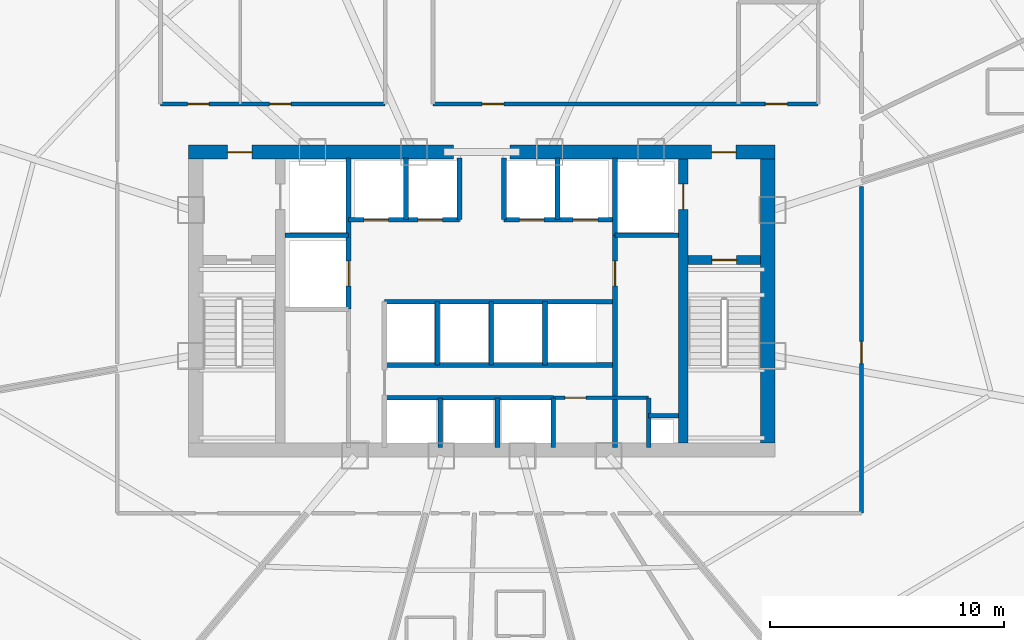
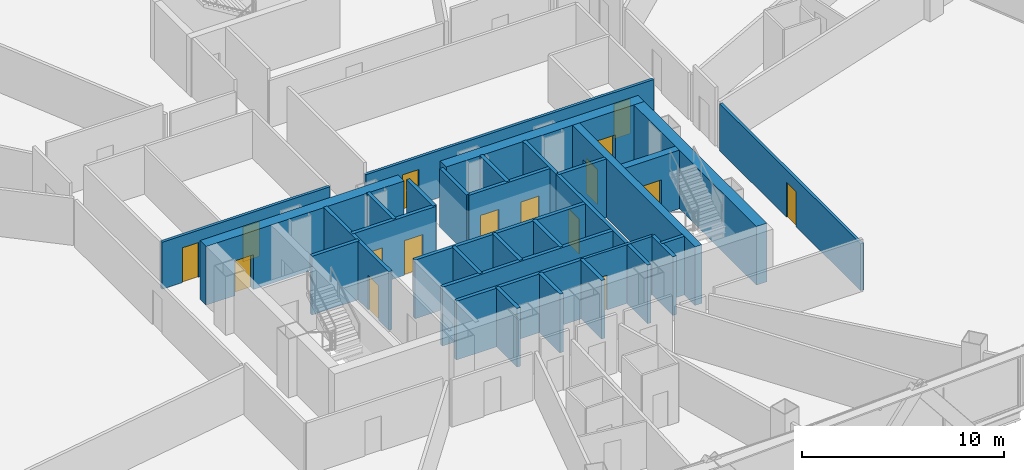
# One storey, part 30 of 37: 31 walls, 16 doors, 16 openings.
"""IFC4 building model written with IfcOpenShell, lengths in metres."""

from ifc_helpers import new_model, si_unit, direction, frame, frame_2d, origin, origin_with_axes, place, context, subcontext, project, spatial, rectangle, extrude, source, transform, mapped, material, layer, layer_set, type_object, element, fill, save


model = new_model("IFC4")

# Units and contexts
model_context = context("Model", 3, precision=1e-05, world=origin(), true_north=direction((0.0, 1.0)))
body_context = subcontext(model_context, "Body", "Model", "MODEL_VIEW")
ifc_project = project(units=[si_unit("LENGTHUNIT", "METRE"), si_unit("AREAUNIT", "SQUARE_METRE"), si_unit("VOLUMEUNIT", "CUBIC_METRE"), si_unit("PLANEANGLEUNIT", "RADIAN"), si_unit("MASSUNIT", "GRAM", prefix="KILO"), si_unit("THERMODYNAMICTEMPERATUREUNIT", "KELVIN"), si_unit("POWERUNIT", "WATT")], contexts=[model_context])

# Site, building, storey
site_placement = place(None, origin())
site = spatial("IfcSite", under=ifc_project, at=site_placement, CompositionType="ELEMENT")
building_placement = place(site_placement, origin())
building = spatial("IfcBuilding", under=site, at=building_placement, Name="Yunzhuo Pagoda Commons", CompositionType="ELEMENT")
storey_placement = place(building_placement, frame((0.0, 0.0, 84.97998046875)))
storey = spatial("IfcBuildingStorey", under=building, at=storey_placement, Name="L21", CompositionType="ELEMENT", Elevation=84.97998046875)

# Wall, opening, door
ifc_material_1 = material(Name="Concrete C60", Category="concrete")
ifc_layer_1 = layer(ifc_material_1, 0.60009765625)
ifc_layer_set_1 = layer_set([ifc_layer_1], Name="Concrete C60")
wall_type_1 = type_object("IfcWallType", Name="W-C02 Mid Core Shear Wall 600", PredefinedType="SHEAR", material=ifc_layer_set_1)
wall_1_placement = place(storey_placement, frame((35.5, 40.199951171875, 0.0), z_axis=(0.0, 0.0, 1.0), x_axis=(1.0, 0.0, 0.0)))
wall_1 = element("IfcWall", 1, at=wall_1_placement, inside=storey, type_object=wall_type_1, Name="L21 core shear wall NW", PredefinedType="SHEAR", context=body_context, shape_type="SweptSolid", body=[
    extrude(rectangle(XDim=11.300048828125, YDim=0.60009765625, at=frame_2d((5.64990234375, 0.0))), origin(), (0.0, 0.0, 1.0), 3.5400390625),
])
opening_1_placement = place(wall_1_placement, frame((1.64990234375, 0.0, 0.0)))
opening_1 = element("IfcOpeningElement", 2, at=opening_1_placement, cuts=wall_1, Name="Opening D-02", PredefinedType="OPENING", context=body_context, shape_type="SweptSolid", body=[
    extrude(rectangle(XDim=1.050048828125, YDim=2.10009765625, at=frame_2d((0.52490234375, 1.050048828125))), frame((0.0, 0.31005859375, 0.0), z_axis=(0.0, -1.0, 0.0), x_axis=(1.0, 0.0, 0.0)), (0.0, 0.0, 1.0), 0.6201171875),
])
ifc_material_2 = material(Name="Galvanized fire-resisting metal leaf")
door_type_1 = type_object("IfcDoorType", Name="D-02 Firefighting Lobby & Refuge Fire Door 1050x2100", OperationType="NOTDEFINED", PredefinedType="DOOR", material=ifc_material_2)
shared_shape_1 = source(origin(), body_context, "Body", "SweptSolid", [
    extrude(rectangle(XDim=1.050048828125, YDim=2.10009765625, at=frame_2d((0.52490234375, 1.050048828125))), frame((0.0, 0.02490234375, 0.0), z_axis=(0.0, -1.0, 0.0), x_axis=(1.0, 0.0, 0.0)), (0.0, 0.0, 1.0), 0.050048828125),
])
door_1_placement = place(opening_1_placement, frame((1.050048828125, 0.0, 0.0), z_axis=(0.0, 0.0, 1.0), x_axis=(-1.0, 0.0, 0.0)))
door_1 = element("IfcDoor", 3, at=door_1_placement, inside=storey, type_object=door_type_1, Name="L21 Firefighting Lobby 1 fire door", OperationType="SINGLE_SWING_LEFT", OverallHeight=2.10009765625, OverallWidth=1.050048828125, PredefinedType="DOOR", context=body_context, shape_type="MappedRepresentation", body=[
    mapped(shared_shape_1, transform((0.0, 0.0, 0.0), scale=1.0)),
])
fill(opening_1, door_1)

wall_2_placement = place(storey_placement, frame((49.199951171875, 40.199951171875, 0.0), z_axis=(0.0, 0.0, 1.0), x_axis=(1.0, 0.0, 0.0)))
wall_2 = element("IfcWall", 4, at=wall_2_placement, inside=storey, type_object=wall_type_1, Name="L21 core shear wall NE", PredefinedType="SHEAR", context=body_context, shape_type="SweptSolid", body=[
    extrude(rectangle(XDim=11.300048828125, YDim=0.60009765625, at=frame_2d((5.64990234375, 0.0))), origin(), (0.0, 0.0, 1.0), 3.5400390625),
])
opening_2_placement = place(wall_2_placement, frame((8.60009765625, 0.0, 0.0)))
opening_2 = element("IfcOpeningElement", 5, at=opening_2_placement, cuts=wall_2, Name="Opening D-02", PredefinedType="OPENING", context=body_context, shape_type="SweptSolid", body=[
    extrude(rectangle(XDim=1.050048828125, YDim=2.10009765625, at=frame_2d((0.52490234375, 1.050048828125))), frame((0.0, 0.31005859375, 0.0), z_axis=(0.0, -1.0, 0.0), x_axis=(1.0, 0.0, 0.0)), (0.0, 0.0, 1.0), 0.6201171875),
])
door_2_placement = place(opening_2_placement, frame((1.050048828125, 0.0, 0.0), z_axis=(0.0, 0.0, 1.0), x_axis=(-1.0, 0.0, 0.0)))
door_2 = element("IfcDoor", 6, at=door_2_placement, inside=storey, type_object=door_type_1, Name="L21 Firefighting Lobby 2 fire door", OperationType="SINGLE_SWING_RIGHT", OverallHeight=2.10009765625, OverallWidth=1.050048828125, PredefinedType="DOOR", context=body_context, shape_type="MappedRepresentation", body=[
    mapped(shared_shape_1, transform((0.0, 0.0, 0.0), scale=1.0)),
])
fill(opening_2, door_2)

# Wall
wall_3_placement = place(storey_placement, frame((60.199951171875, 27.800048828125, 0.0), z_axis=(0.0, 0.0, 1.0), x_axis=(0.0, 1.0, 0.0)))
element("IfcWall", 7, at=wall_3_placement, inside=storey, type_object=wall_type_1, Name="L21 core shear wall E", PredefinedType="SHEAR", context=body_context, shape_type="SweptSolid", body=[
    extrude(rectangle(XDim=12.099853515625, YDim=0.60009765625, at=frame_2d((6.0498046875, 0.0))), origin(), (0.0, 0.0, 1.0), 3.5400390625),
])

# Wall, opening, door
ifc_material_3 = material(Name="Gypsum plasterboard on acoustic stud")
ifc_layer_2 = layer(ifc_material_3, 0.159912109375)
ifc_layer_set_2 = layer_set([ifc_layer_2], Name="Gypsum plasterboard on acoustic stud")
wall_type_2 = type_object("IfcWallType", Name="W-COR1 Tower Rated Corridor Wall 160", PredefinedType="PARTITIONING", material=ifc_layer_set_2)
wall_4_placement = place(storey_placement, frame((51.050048828125, 29.719970703125, 0.0), z_axis=(0.0, 0.0, 1.0), x_axis=(1.0, 0.0, 0.0)))
wall_4 = element("IfcWall", 8, at=wall_4_placement, inside=storey, type_object=wall_type_2, Name="L21 interior wall IW-L21-CSES", PredefinedType="PARTITIONING", context=body_context, shape_type="SweptSolid", body=[
    extrude(rectangle(XDim=4.070068359375, YDim=0.159912109375, at=frame_2d((2.03515625, 0.0))), origin(), (0.0, 0.0, 1.0), 3.5400390625),
])
opening_3_placement = place(wall_4_placement, frame((0.5, 0.0, 0.0)))
opening_3 = element("IfcOpeningElement", 9, at=opening_3_placement, cuts=wall_4, Name="Opening D-03", PredefinedType="OPENING", context=body_context, shape_type="SweptSolid", body=[
    extrude(rectangle(XDim=0.89990234375, YDim=2.10009765625, at=frame_2d((0.449951171875, 1.050048828125))), frame((0.0, 0.08984375, 0.0), z_axis=(0.0, -1.0, 0.0), x_axis=(1.0, 0.0, 0.0)), (0.0, 0.0, 1.0), 0.179931640625),
])
door_type_2 = type_object("IfcDoorType", Name="D-03 Core Service Fire Door 900x2100", OperationType="NOTDEFINED", PredefinedType="DOOR", material=ifc_material_2)
shared_shape_2 = source(origin(), body_context, "Body", "SweptSolid", [
    extrude(rectangle(XDim=0.89990234375, YDim=2.10009765625, at=frame_2d((0.449951171875, 1.050048828125))), frame((0.0, 0.02490234375, 0.0), z_axis=(0.0, -1.0, 0.0), x_axis=(1.0, 0.0, 0.0)), (0.0, 0.0, 1.0), 0.050048828125),
])
door_3_placement = place(opening_3_placement, origin_with_axes())
door_3 = element("IfcDoor", 10, at=door_3_placement, inside=storey, type_object=door_type_2, Name="L21 cleaner store door", OperationType="SINGLE_SWING_LEFT", OverallHeight=2.10009765625, OverallWidth=0.89990234375, PredefinedType="DOOR", context=body_context, shape_type="MappedRepresentation", body=[
    mapped(shared_shape_2, transform((0.0, 0.0, 0.0), scale=1.0)),
])
fill(opening_3, door_3)

# Wall, openings, doors
wall_5_placement = place(storey_placement, frame((34.300048828125, 42.25, 0.0), z_axis=(0.0, 0.0, 1.0), x_axis=(1.0, 0.0, 0.0)))
wall_5 = element("IfcWall", 11, at=wall_5_placement, inside=storey, type_object=wall_type_2, Name="L21 interior wall IW-L21-ISLWS", PredefinedType="PARTITIONING", context=body_context, shape_type="SweptSolid", body=[
    extrude(rectangle(XDim=9.579833984375, YDim=0.159912109375, at=frame_2d((4.7900390625, 0.0))), origin(), (0.0, 0.0, 1.0), 2.840087890625),
])
opening_4_placement = place(wall_5_placement, frame((1.14990234375, 0.0, 0.0)))
opening_4 = element("IfcOpeningElement", 12, at=opening_4_placement, cuts=wall_5, Name="Opening D-04", PredefinedType="OPENING", context=body_context, shape_type="SweptSolid", body=[
    extrude(rectangle(XDim=0.919921875, YDim=2.10009765625, at=frame_2d((0.4599609375, 1.050048828125))), frame((0.0, 0.08984375, 0.0), z_axis=(0.0, -1.0, 0.0), x_axis=(1.0, 0.0, 0.0)), (0.0, 0.0, 1.0), 0.179931640625),
])
opening_5_placement = place(wall_5_placement, frame((4.64990234375, 0.0, 0.0)))
opening_5 = element("IfcOpeningElement", 13, at=opening_5_placement, cuts=wall_5, Name="Opening D-04", PredefinedType="OPENING", context=body_context, shape_type="SweptSolid", body=[
    extrude(rectangle(XDim=0.919921875, YDim=2.10009765625, at=frame_2d((0.4599609375, 1.050048828125))), frame((0.0, 0.08984375, 0.0), z_axis=(0.0, -1.0, 0.0), x_axis=(1.0, 0.0, 0.0)), (0.0, 0.0, 1.0), 0.179931640625),
])
ifc_material_4 = material(Name="Powder-coated aluminium and timber acoustic leaf", Category="wood")
door_type_3 = type_object("IfcDoorType", Name="D-04 Bedroom & Study Interior Door 920x2100", OperationType="NOTDEFINED", PredefinedType="DOOR", material=ifc_material_4)
shared_shape_3 = source(origin(), body_context, "Body", "SweptSolid", [
    extrude(rectangle(XDim=0.919921875, YDim=2.10009765625, at=frame_2d((0.4599609375, 1.050048828125))), frame((0.0, 0.02490234375, 0.0), z_axis=(0.0, -1.0, 0.0), x_axis=(1.0, 0.0, 0.0)), (0.0, 0.0, 1.0), 0.050048828125),
])
door_4_placement = place(opening_4_placement, frame((0.919921875, 0.0, 0.0), z_axis=(0.0, 0.0, 1.0), x_axis=(-1.0, 0.0, 0.0)))
door_4 = element("IfcDoor", 14, at=door_4_placement, inside=storey, type_object=door_type_3, Name="L21 laundry door", OperationType="SINGLE_SWING_LEFT", OverallHeight=2.10009765625, OverallWidth=0.919921875, PredefinedType="DOOR", context=body_context, shape_type="MappedRepresentation", body=[
    mapped(shared_shape_3, transform((0.0, 0.0, 0.0), scale=1.0)),
])
fill(opening_4, door_4)
door_5_placement = place(opening_5_placement, frame((0.919921875, 0.0, 0.0), z_axis=(0.0, 0.0, 1.0), x_axis=(-1.0, 0.0, 0.0)))
door_5 = element("IfcDoor", 15, at=door_5_placement, inside=storey, type_object=door_type_3, Name="L21 study commons W door", OperationType="SINGLE_SWING_RIGHT", OverallHeight=2.10009765625, OverallWidth=0.919921875, PredefinedType="DOOR", context=body_context, shape_type="MappedRepresentation", body=[
    mapped(shared_shape_3, transform((0.0, 0.0, 0.0), scale=1.0)),
])
fill(opening_5, door_5)

wall_6_placement = place(storey_placement, frame((45.919921875, 42.25, 0.0), z_axis=(0.0, 0.0, 1.0), x_axis=(1.0, 0.0, 0.0)))
wall_6 = element("IfcWall", 16, at=wall_6_placement, inside=storey, type_object=wall_type_2, Name="L21 interior wall IW-L21-ISLES", PredefinedType="PARTITIONING", context=body_context, shape_type="SweptSolid", body=[
    extrude(rectangle(XDim=16.43017578125, YDim=0.159912109375, at=frame_2d((8.215087890625, 0.0))), origin(), (0.0, 0.0, 1.0), 2.840087890625),
])
opening_6_placement = place(wall_6_placement, frame((2.10009765625, 0.0, 0.0)))
opening_6 = element("IfcOpeningElement", 17, at=opening_6_placement, cuts=wall_6, Name="Opening D-04", PredefinedType="OPENING", context=body_context, shape_type="SweptSolid", body=[
    extrude(rectangle(XDim=0.919921875, YDim=2.10009765625, at=frame_2d((0.4599609375, 1.050048828125))), frame((0.0, 0.08984375, 0.0), z_axis=(0.0, -1.0, 0.0), x_axis=(1.0, 0.0, 0.0)), (0.0, 0.0, 1.0), 0.179931640625),
])
opening_7_placement = place(wall_6_placement, frame((14.179931640625, 0.0, 0.0)))
opening_7 = element("IfcOpeningElement", 18, at=opening_7_placement, cuts=wall_6, Name="Opening D-11", PredefinedType="OPENING", context=body_context, shape_type="SweptSolid", body=[
    extrude(rectangle(XDim=0.93994140625, YDim=2.10009765625, at=frame_2d((0.469970703125, 1.050048828125))), frame((0.0, 0.08984375, 0.0), z_axis=(0.0, -1.0, 0.0), x_axis=(1.0, 0.0, 0.0)), (0.0, 0.0, 1.0), 0.179931640625),
])
door_type_4 = type_object("IfcDoorType", Name="D-11 Accessible Washroom Fire Door 940x2100", OperationType="NOTDEFINED", PredefinedType="DOOR", material=ifc_material_2)
shared_shape_4 = source(origin(), body_context, "Body", "SweptSolid", [
    extrude(rectangle(XDim=0.93994140625, YDim=2.10009765625, at=frame_2d((0.469970703125, 1.050048828125))), frame((0.0, 0.02490234375, 0.0), z_axis=(0.0, -1.0, 0.0), x_axis=(1.0, 0.0, 0.0)), (0.0, 0.0, 1.0), 0.050048828125),
])
door_6_placement = place(opening_7_placement, frame((0.93994140625, 0.0, 0.0), z_axis=(0.0, 0.0, 1.0), x_axis=(-1.0, 0.0, 0.0)))
door_6 = element("IfcDoor", 19, at=door_6_placement, inside=storey, type_object=door_type_4, Name="L21 accessible WC door", OperationType="SINGLE_SWING_RIGHT", OverallHeight=2.10009765625, OverallWidth=0.93994140625, PredefinedType="DOOR", context=body_context, shape_type="MappedRepresentation", body=[
    mapped(shared_shape_4, transform((0.0, 0.0, 0.0), scale=1.0)),
])
fill(opening_7, door_6)
door_7_placement = place(opening_6_placement, frame((0.919921875, 0.0, 0.0), z_axis=(0.0, 0.0, 1.0), x_axis=(-1.0, 0.0, 0.0)))
door_7 = element("IfcDoor", 20, at=door_7_placement, inside=storey, type_object=door_type_3, Name="L21 reading commons door", OperationType="SINGLE_SWING_LEFT", OverallHeight=2.10009765625, OverallWidth=0.919921875, PredefinedType="DOOR", context=body_context, shape_type="MappedRepresentation", body=[
    mapped(shared_shape_3, transform((0.0, 0.0, 0.0), scale=1.0)),
])
fill(opening_6, door_7)

# Wall, opening, door
wall_7_placement = place(storey_placement, frame((64.199951171875, 38.743896484375, 0.0), z_axis=(0.0, 0.0, 1.0), x_axis=(0.0, -1.0, 0.0)))
wall_7 = element("IfcWall", 21, at=wall_7_placement, inside=storey, type_object=wall_type_2, Name="L21 interior wall IW-L21-CWL14", PredefinedType="PARTITIONING", context=body_context, shape_type="SweptSolid", body=[
    extrude(rectangle(XDim=13.94384765625, YDim=0.159912109375, at=frame_2d((6.971923828125, 0.0))), origin(), (0.0, 0.0, 1.0), 2.840087890625),
])
opening_8_placement = place(wall_7_placement, frame((6.616943359375, 0.0, 0.0)))
opening_8 = element("IfcOpeningElement", 22, at=opening_8_placement, cuts=wall_7, Name="Opening D-06", PredefinedType="OPENING", context=body_context, shape_type="SweptSolid", body=[
    extrude(rectangle(XDim=0.949951171875, YDim=2.10009765625, at=frame_2d((0.47509765625, 1.050048828125))), frame((0.0, 0.08984375, 0.0), z_axis=(0.0, -1.0, 0.0), x_axis=(1.0, 0.0, 0.0)), (0.0, 0.0, 1.0), 0.179931640625),
])
door_type_5 = type_object("IfcDoorType", Name="D-06 Co-Living Suite Entrance Fire Door 950x2100", OperationType="NOTDEFINED", PredefinedType="DOOR", material=ifc_material_2)
shared_shape_5 = source(origin(), body_context, "Body", "SweptSolid", [
    extrude(rectangle(XDim=0.949951171875, YDim=2.10009765625, at=frame_2d((0.47509765625, 1.050048828125))), frame((0.0, 0.02490234375, 0.0), z_axis=(0.0, -1.0, 0.0), x_axis=(1.0, 0.0, 0.0)), (0.0, 0.0, 1.0), 0.050048828125),
])
door_8_placement = place(opening_8_placement, origin_with_axes())
door_8 = element("IfcDoor", 23, at=door_8_placement, inside=storey, type_object=door_type_5, Name="L21 Resident Co-Living Commons Hall door", OperationType="SINGLE_SWING_LEFT", OverallHeight=2.10009765625, OverallWidth=0.949951171875, PredefinedType="DOOR", context=body_context, shape_type="MappedRepresentation", body=[
    mapped(shared_shape_5, transform((0.0, 0.0, 0.0), scale=1.0)),
])
fill(opening_8, door_8)

ifc_layer_3 = layer(ifc_material_1, 0.39990234375)
ifc_layer_set_3 = layer_set([ifc_layer_3], Name="Concrete C60")
wall_type_3 = type_object("IfcWallType", Name="W-S01 Internal Core Shear Web 400", PredefinedType="SHEAR", material=ifc_layer_set_3)
wall_8_placement = place(storey_placement, frame((56.60009765625, 27.800048828125, 0.0), z_axis=(0.0, 0.0, 1.0), x_axis=(0.0, 1.0, 0.0)))
wall_8 = element("IfcWall", 24, at=wall_8_placement, inside=storey, type_object=wall_type_3, Name="L21 core shear wall WEBE", PredefinedType="SHEAR", context=body_context, shape_type="SweptSolid", body=[
    extrude(rectangle(XDim=12.099853515625, YDim=0.39990234375, at=frame_2d((6.0498046875, 0.0))), origin(), (0.0, 0.0, 1.0), 3.5400390625),
])
opening_9_placement = place(wall_8_placement, frame((9.949951171875, 0.0, 0.0)))
opening_9 = element("IfcOpeningElement", 25, at=opening_9_placement, cuts=wall_8, Name="Opening LD-01", PredefinedType="OPENING", context=body_context, shape_type="SweptSolid", body=[
    extrude(rectangle(XDim=1.10009765625, YDim=2.10009765625, at=frame_2d((0.550048828125, 1.050048828125))), frame((0.0, 0.2099609375, 0.0), z_axis=(0.0, -1.0, 0.0), x_axis=(1.0, 0.0, 0.0)), (0.0, 0.0, 1.0), 0.419921875),
])
door_type_6 = type_object("IfcDoorType", Name="LD-01 Firefighting Lift Landing Door 1100x2100", OperationType="DOUBLE_DOOR_SLIDING", PredefinedType="DOOR", material=ifc_material_2)
shared_shape_6 = source(origin(), body_context, "Body", "SweptSolid", [
    extrude(rectangle(XDim=1.10009765625, YDim=2.10009765625, at=frame_2d((0.550048828125, 1.050048828125))), frame((0.0, 0.02490234375, 0.0), z_axis=(0.0, -1.0, 0.0), x_axis=(1.0, 0.0, 0.0)), (0.0, 0.0, 1.0), 0.050048828125),
])
door_9_placement = place(opening_9_placement, origin_with_axes())
door_9 = element("IfcDoor", 26, at=door_9_placement, inside=storey, type_object=door_type_6, Name="L21 Firefighting lift FL-2 landing door", OperationType="DOUBLE_DOOR_SLIDING", OverallHeight=2.10009765625, OverallWidth=1.10009765625, PredefinedType="DOOR", context=body_context, shape_type="MappedRepresentation", body=[
    mapped(shared_shape_6, transform((0.0, 0.0, 0.0), scale=1.0)),
])
fill(opening_9, door_9)

wall_9_placement = place(storey_placement, frame((56.800048828125, 35.60009765625, 0.0), z_axis=(0.0, 0.0, 1.0), x_axis=(1.0, 0.0, 0.0)))
wall_9 = element("IfcWall", 27, at=wall_9_placement, inside=storey, type_object=wall_type_3, Name="L21 core shear wall STE", PredefinedType="SHEAR", context=body_context, shape_type="SweptSolid", body=[
    extrude(rectangle(XDim=3.099853515625, YDim=0.39990234375, at=frame_2d((1.5498046875, 0.0))), origin(), (0.0, 0.0, 1.0), 3.5400390625),
])
opening_10_placement = place(wall_9_placement, frame((1.02001953125, 0.0, 0.0)))
opening_10 = element("IfcOpeningElement", 28, at=opening_10_placement, cuts=wall_9, Name="Opening D-01", PredefinedType="OPENING", context=body_context, shape_type="SweptSolid", body=[
    extrude(rectangle(XDim=1.050048828125, YDim=2.10009765625, at=frame_2d((0.52490234375, 1.050048828125))), frame((0.0, 0.2099609375, 0.0), z_axis=(0.0, -1.0, 0.0), x_axis=(1.0, 0.0, 0.0)), (0.0, 0.0, 1.0), 0.419921875),
])
door_type_7 = type_object("IfcDoorType", Name="D-01 Smokeproof Stair Fire Door 1050x2100", OperationType="NOTDEFINED", PredefinedType="DOOR", material=ifc_material_2)
door_10_placement = place(opening_10_placement, frame((1.050048828125, 0.0, 0.0), z_axis=(0.0, 0.0, 1.0), x_axis=(-1.0, 0.0, 0.0)))
door_10 = element("IfcDoor", 29, at=door_10_placement, inside=storey, type_object=door_type_7, Name="L21 Stair ST2 fire door", OperationType="SINGLE_SWING_RIGHT", OverallHeight=2.10009765625, OverallWidth=1.050048828125, PredefinedType="DOOR", context=body_context, shape_type="MappedRepresentation", body=[
    mapped(shared_shape_1, transform((0.0, 0.0, 0.0), scale=1.0)),
])
fill(opening_10, door_10)

ifc_material_5 = material(Name="Concrete C40", Category="concrete")
ifc_layer_4 = layer(ifc_material_5, 0.199951171875)
ifc_layer_set_4 = layer_set([ifc_layer_4], Name="Concrete C40")
wall_type_4 = type_object("IfcWallType", Name="W-SHF Shaft & Stair Enclosure Wall 200", PredefinedType="SOLIDWALL", material=ifc_layer_set_4)
wall_10_placement = place(storey_placement, frame((42.320068359375, 33.5, 0.0), z_axis=(0.0, 0.0, 1.0), x_axis=(0.0, 1.0, 0.0)))
wall_10 = element("IfcWall", 30, at=wall_10_placement, inside=storey, type_object=wall_type_4, Name="L21 interior wall IW-L21-FL1E", PredefinedType="SOLIDWALL", context=body_context, shape_type="SweptSolid", body=[
    extrude(rectangle(XDim=6.449951171875, YDim=0.199951171875, at=frame_2d((3.22509765625, 0.0))), origin(), (0.0, 0.0, 1.0), 3.5400390625),
])
opening_11_placement = place(wall_10_placement, frame((1.0, 0.0, 0.0)))
opening_11 = element("IfcOpeningElement", 31, at=opening_11_placement, cuts=wall_10, Name="Opening LD-02", PredefinedType="OPENING", context=body_context, shape_type="SweptSolid", body=[
    extrude(rectangle(XDim=1.050048828125, YDim=2.10009765625, at=frame_2d((0.52490234375, 1.050048828125))), frame((0.0, 0.10986328125, 0.0), z_axis=(0.0, -1.0, 0.0), x_axis=(1.0, 0.0, 0.0)), (0.0, 0.0, 1.0), 0.219970703125),
])
door_type_8 = type_object("IfcDoorType", Name="LD-02 Passenger Lift Landing Door 1050x2100", OperationType="DOUBLE_DOOR_SLIDING", PredefinedType="DOOR", material=ifc_material_2)
door_11_placement = place(opening_11_placement, origin_with_axes())
door_11 = element("IfcDoor", 32, at=door_11_placement, inside=storey, type_object=door_type_8, Name="L21 Service lift SL-1 landing door", OperationType="DOUBLE_DOOR_SLIDING", OverallHeight=2.10009765625, OverallWidth=1.050048828125, PredefinedType="DOOR", context=body_context, shape_type="MappedRepresentation", body=[
    mapped(shared_shape_1, transform((0.0, 0.0, 0.0), scale=1.0)),
])
fill(opening_11, door_11)

# Walls
wall_11_placement = place(storey_placement, frame((39.60009765625, 36.64990234375, 0.0), z_axis=(0.0, 0.0, 1.0), x_axis=(1.0, 0.0, 0.0)))
element("IfcWall", 33, at=wall_11_placement, inside=storey, type_object=wall_type_4, Name="L21 interior wall IW-L21-FL1S", PredefinedType="SOLIDWALL", context=body_context, shape_type="SweptSolid", body=[
    extrude(rectangle(XDim=2.719970703125, YDim=0.199951171875, at=frame_2d((1.35986328125, 0.0))), origin(), (0.0, 0.0, 1.0), 3.5400390625),
])
wall_12_placement = place(storey_placement, frame((53.679931640625, 36.64990234375, 0.0), z_axis=(0.0, 0.0, 1.0), x_axis=(0.0, 1.0, 0.0)))
element("IfcWall", 34, at=wall_12_placement, inside=storey, type_object=wall_type_4, Name="L21 interior wall IW-L21-FL2W", PredefinedType="SOLIDWALL", context=body_context, shape_type="SweptSolid", body=[
    extrude(rectangle(XDim=3.300048828125, YDim=0.199951171875, at=frame_2d((1.64990234375, 0.0))), origin(), (0.0, 0.0, 1.0), 3.5400390625),
])
wall_13_placement = place(storey_placement, frame((53.679931640625, 36.64990234375, 0.0), z_axis=(0.0, 0.0, 1.0), x_axis=(1.0, 0.0, 0.0)))
element("IfcWall", 35, at=wall_13_placement, inside=storey, type_object=wall_type_4, Name="L21 interior wall IW-L21-FL2S", PredefinedType="SOLIDWALL", context=body_context, shape_type="SweptSolid", body=[
    extrude(rectangle(XDim=2.719970703125, YDim=0.199951171875, at=frame_2d((1.35986328125, 0.0))), origin(), (0.0, 0.0, 1.0), 3.5400390625),
])

# Wall, openings, doors
wall_14_placement = place(storey_placement, frame((42.320068359375, 37.320068359375, 0.0), z_axis=(0.0, 0.0, 1.0), x_axis=(1.0, 0.0, 0.0)))
wall_14 = element("IfcWall", 36, at=wall_14_placement, inside=storey, type_object=wall_type_4, Name="L21 interior wall IW-L21-LBNW", PredefinedType="SOLIDWALL", context=body_context, shape_type="SweptSolid", body=[
    extrude(rectangle(XDim=4.72998046875, YDim=0.199951171875, at=frame_2d((2.364990234375, 0.0))), origin(), (0.0, 0.0, 1.0), 3.5400390625),
])
opening_12_placement = place(wall_14_placement, frame((0.64990234375, 0.0, 0.0)))
opening_12 = element("IfcOpeningElement", 37, at=opening_12_placement, cuts=wall_14, Name="Opening LD-02", PredefinedType="OPENING", context=body_context, shape_type="SweptSolid", body=[
    extrude(rectangle(XDim=1.050048828125, YDim=2.10009765625, at=frame_2d((0.52490234375, 1.050048828125))), frame((0.0, 0.10986328125, 0.0), z_axis=(0.0, -1.0, 0.0), x_axis=(1.0, 0.0, 0.0)), (0.0, 0.0, 1.0), 0.219970703125),
])
opening_13_placement = place(wall_14_placement, frame((2.949951171875, 0.0, 0.0)))
opening_13 = element("IfcOpeningElement", 38, at=opening_13_placement, cuts=wall_14, Name="Opening LD-02", PredefinedType="OPENING", context=body_context, shape_type="SweptSolid", body=[
    extrude(rectangle(XDim=1.050048828125, YDim=2.10009765625, at=frame_2d((0.52490234375, 1.050048828125))), frame((0.0, 0.10986328125, 0.0), z_axis=(0.0, -1.0, 0.0), x_axis=(1.0, 0.0, 0.0)), (0.0, 0.0, 1.0), 0.219970703125),
])
door_12_placement = place(opening_12_placement, frame((1.050048828125, 0.0, 0.0), z_axis=(0.0, 0.0, 1.0), x_axis=(-1.0, 0.0, 0.0)))
door_12 = element("IfcDoor", 39, at=door_12_placement, inside=storey, type_object=door_type_8, Name="L21 Passenger lift PL-L1 landing door", OperationType="DOUBLE_DOOR_SLIDING", OverallHeight=2.10009765625, OverallWidth=1.050048828125, PredefinedType="DOOR", context=body_context, shape_type="MappedRepresentation", body=[
    mapped(shared_shape_1, transform((0.0, 0.0, 0.0), scale=1.0)),
])
fill(opening_12, door_12)
door_13_placement = place(opening_13_placement, frame((1.050048828125, 0.0, 0.0), z_axis=(0.0, 0.0, 1.0), x_axis=(-1.0, 0.0, 0.0)))
door_13 = element("IfcDoor", 40, at=door_13_placement, inside=storey, type_object=door_type_8, Name="L21 Passenger lift PL-L2 landing door", OperationType="DOUBLE_DOOR_SLIDING", OverallHeight=2.10009765625, OverallWidth=1.050048828125, PredefinedType="DOOR", context=body_context, shape_type="MappedRepresentation", body=[
    mapped(shared_shape_1, transform((0.0, 0.0, 0.0), scale=1.0)),
])
fill(opening_13, door_13)

wall_15_placement = place(storey_placement, frame((48.949951171875, 37.320068359375, 0.0), z_axis=(0.0, 0.0, 1.0), x_axis=(1.0, 0.0, 0.0)))
wall_15 = element("IfcWall", 41, at=wall_15_placement, inside=storey, type_object=wall_type_4, Name="L21 interior wall IW-L21-LBNE", PredefinedType="SOLIDWALL", context=body_context, shape_type="SweptSolid", body=[
    extrude(rectangle(XDim=4.72998046875, YDim=0.199951171875, at=frame_2d((2.364990234375, 0.0))), origin(), (0.0, 0.0, 1.0), 3.5400390625),
])
opening_14_placement = place(wall_15_placement, frame((0.64990234375, 0.0, 0.0)))
opening_14 = element("IfcOpeningElement", 42, at=opening_14_placement, cuts=wall_15, Name="Opening LD-02", PredefinedType="OPENING", context=body_context, shape_type="SweptSolid", body=[
    extrude(rectangle(XDim=1.050048828125, YDim=2.10009765625, at=frame_2d((0.52490234375, 1.050048828125))), frame((0.0, 0.10986328125, 0.0), z_axis=(0.0, -1.0, 0.0), x_axis=(1.0, 0.0, 0.0)), (0.0, 0.0, 1.0), 0.219970703125),
])
opening_15_placement = place(wall_15_placement, frame((2.949951171875, 0.0, 0.0)))
opening_15 = element("IfcOpeningElement", 43, at=opening_15_placement, cuts=wall_15, Name="Opening LD-02", PredefinedType="OPENING", context=body_context, shape_type="SweptSolid", body=[
    extrude(rectangle(XDim=1.050048828125, YDim=2.10009765625, at=frame_2d((0.52490234375, 1.050048828125))), frame((0.0, 0.10986328125, 0.0), z_axis=(0.0, -1.0, 0.0), x_axis=(1.0, 0.0, 0.0)), (0.0, 0.0, 1.0), 0.219970703125),
])
door_14_placement = place(opening_14_placement, frame((1.050048828125, 0.0, 0.0), z_axis=(0.0, 0.0, 1.0), x_axis=(-1.0, 0.0, 0.0)))
door_14 = element("IfcDoor", 44, at=door_14_placement, inside=storey, type_object=door_type_8, Name="L21 Passenger lift PL-L3 landing door", OperationType="DOUBLE_DOOR_SLIDING", OverallHeight=2.10009765625, OverallWidth=1.050048828125, PredefinedType="DOOR", context=body_context, shape_type="MappedRepresentation", body=[
    mapped(shared_shape_1, transform((0.0, 0.0, 0.0), scale=1.0)),
])
fill(opening_14, door_14)
door_15_placement = place(opening_15_placement, frame((1.050048828125, 0.0, 0.0), z_axis=(0.0, 0.0, 1.0), x_axis=(-1.0, 0.0, 0.0)))
door_15 = element("IfcDoor", 45, at=door_15_placement, inside=storey, type_object=door_type_8, Name="L21 Passenger lift PL-L4 landing door", OperationType="DOUBLE_DOOR_SLIDING", OverallHeight=2.10009765625, OverallWidth=1.050048828125, PredefinedType="DOOR", context=body_context, shape_type="MappedRepresentation", body=[
    mapped(shared_shape_1, transform((0.0, 0.0, 0.0), scale=1.0)),
])
fill(opening_15, door_15)

# Walls
for number, where, z_axis, x_axis, name in (
    (46, (47.050048828125, 37.320068359375, 0.0), (0.0, 0.0, 1.0), (0.0, 1.0, 0.0), "L21 interior wall IW-L21-THRW"),
    (47, (48.949951171875, 37.320068359375, 0.0), (0.0, 0.0, 1.0), (0.0, 1.0, 0.0), "L21 interior wall IW-L21-THRE"),
    (48, (44.77001953125, 37.320068359375, 0.0), (0.0, 0.0, 1.0), (0.0, 1.0, 0.0), "L21 interior wall IW-L21-PLL12"),
    (49, (51.22998046875, 37.320068359375, 0.0), (0.0, 0.0, 1.0), (0.0, 1.0, 0.0), "L21 interior wall IW-L21-PLL34"),
):
    element("IfcWall", number, at=place(storey_placement, frame(where, z_axis=z_axis, x_axis=x_axis)), inside=storey, type_object=wall_type_4, Name=name, PredefinedType="SOLIDWALL", context=body_context, shape_type="SweptSolid", body=[
        extrude(rectangle(XDim=2.6298828125, YDim=0.199951171875, at=frame_2d((1.31494140625, 0.0))), origin(), (0.0, 0.0, 1.0), 3.5400390625),
    ])
wall_16_placement = place(storey_placement, frame((43.85009765625, 33.820068359375, 0.0), z_axis=(0.0, 0.0, 1.0), x_axis=(1.0, 0.0, 0.0)))
element("IfcWall", 50, at=wall_16_placement, inside=storey, type_object=wall_type_4, Name="L21 interior wall IW-L21-MLBS", PredefinedType="SOLIDWALL", context=body_context, shape_type="SweptSolid", body=[
    extrude(rectangle(XDim=9.829833984375, YDim=0.199951171875, at=frame_2d((4.9150390625, 0.0))), origin(), (0.0, 0.0, 1.0), 3.5400390625),
])

# Wall, opening, door
wall_17_placement = place(storey_placement, frame((53.679931640625, 27.60009765625, 0.0), z_axis=(0.0, 0.0, 1.0), x_axis=(0.0, 1.0, 0.0)))
wall_17 = element("IfcWall", 51, at=wall_17_placement, inside=storey, type_object=wall_type_4, Name="L21 interior wall IW-L21-PLME", PredefinedType="SOLIDWALL", context=body_context, shape_type="SweptSolid", body=[
    extrude(rectangle(XDim=9.0498046875, YDim=0.199951171875, at=frame_2d((4.52490234375, 0.0))), origin(), (0.0, 0.0, 1.0), 3.5400390625),
])
opening_16_placement = place(wall_17_placement, frame((6.89990234375, 0.0, 0.0)))
opening_16 = element("IfcOpeningElement", 52, at=opening_16_placement, cuts=wall_17, Name="Opening D-02", PredefinedType="OPENING", context=body_context, shape_type="SweptSolid", body=[
    extrude(rectangle(XDim=1.050048828125, YDim=2.10009765625, at=frame_2d((0.52490234375, 1.050048828125))), frame((0.0, 0.10986328125, 0.0), z_axis=(0.0, -1.0, 0.0), x_axis=(1.0, 0.0, 0.0)), (0.0, 0.0, 1.0), 0.219970703125),
])
door_16_placement = place(opening_16_placement, origin_with_axes())
door_16 = element("IfcDoor", 53, at=door_16_placement, inside=storey, type_object=door_type_1, Name="L21 High-bank lift hall door", OperationType="SINGLE_SWING_RIGHT", OverallHeight=2.10009765625, OverallWidth=1.050048828125, PredefinedType="DOOR", context=body_context, shape_type="MappedRepresentation", body=[
    mapped(shared_shape_1, transform((0.0, 0.0, 0.0), scale=1.0)),
])
fill(opening_16, door_16)

# Walls
for number, where, z_axis, x_axis, name in (
    (54, (46.10009765625, 31.1201171875, 0.0), (0.0, 0.0, 1.0), (0.0, 1.0, 0.0), "L21 interior wall IW-L21-PLMD1"),
    (55, (48.39990234375, 31.1201171875, 0.0), (0.0, 0.0, 1.0), (0.0, 1.0, 0.0), "L21 interior wall IW-L21-PLMD2"),
    (56, (50.699951171875, 31.1201171875, 0.0), (0.0, 0.0, 1.0), (0.0, 1.0, 0.0), "L21 interior wall IW-L21-PLMD3"),
):
    element("IfcWall", number, at=place(storey_placement, frame(where, z_axis=z_axis, x_axis=x_axis)), inside=storey, type_object=wall_type_4, Name=name, PredefinedType="SOLIDWALL", context=body_context, shape_type="SweptSolid", body=[
        extrude(rectangle(XDim=2.699951171875, YDim=0.199951171875, at=frame_2d((1.35009765625, 0.0))), origin(), (0.0, 0.0, 1.0), 3.5400390625),
    ])
wall_18_placement = place(storey_placement, frame((43.85009765625, 29.719970703125, 0.0), z_axis=(0.0, 0.0, 1.0), x_axis=(1.0, 0.0, 0.0)))
element("IfcWall", 57, at=wall_18_placement, inside=storey, type_object=wall_type_4, Name="L21 interior wall IW-L21-PLHN", PredefinedType="SOLIDWALL", context=body_context, shape_type="SweptSolid", body=[
    extrude(rectangle(XDim=7.199951171875, YDim=0.199951171875, at=frame_2d((3.60009765625, 0.0))), origin(), (0.0, 0.0, 1.0), 3.5400390625),
])
wall_19_placement = place(storey_placement, frame((51.050048828125, 27.60009765625, 0.0), z_axis=(0.0, 0.0, 1.0), x_axis=(0.0, 1.0, 0.0)))
element("IfcWall", 58, at=wall_19_placement, inside=storey, type_object=wall_type_4, Name="L21 interior wall IW-L21-PLHE", PredefinedType="SOLIDWALL", context=body_context, shape_type="SweptSolid", body=[
    extrude(rectangle(XDim=2.119873046875, YDim=0.199951171875, at=frame_2d((1.06005859375, 0.0))), origin(), (0.0, 0.0, 1.0), 3.5400390625),
])
wall_20_placement = place(storey_placement, frame((43.85009765625, 31.1201171875, 0.0), z_axis=(0.0, 0.0, 1.0), x_axis=(1.0, 0.0, 0.0)))
element("IfcWall", 59, at=wall_20_placement, inside=storey, type_object=wall_type_4, Name="L21 interior wall IW-L21-PLMS2", PredefinedType="SOLIDWALL", context=body_context, shape_type="SweptSolid", body=[
    extrude(rectangle(XDim=9.829833984375, YDim=0.199951171875, at=frame_2d((4.9150390625, 0.0))), origin(), (0.0, 0.0, 1.0), 3.5400390625),
])
for number, where, z_axis, x_axis, name in (
    (60, (46.22509765625, 27.60009765625, 0.0), (0.0, 0.0, 1.0), (0.0, 1.0, 0.0), "L21 interior wall IW-L21-PLHD1"),
    (61, (48.675048828125, 27.60009765625, 0.0), (0.0, 0.0, 1.0), (0.0, 1.0, 0.0), "L21 interior wall IW-L21-PLHD2"),
    (62, (55.1201171875, 27.60009765625, 0.0), (0.0, 0.0, 1.0), (0.0, 1.0, 0.0), "L21 interior wall IW-L21-RSHFW"),
):
    element("IfcWall", number, at=place(storey_placement, frame(where, z_axis=z_axis, x_axis=x_axis)), inside=storey, type_object=wall_type_4, Name=name, PredefinedType="SOLIDWALL", context=body_context, shape_type="SweptSolid", body=[
        extrude(rectangle(XDim=2.119873046875, YDim=0.199951171875, at=frame_2d((1.06005859375, 0.0))), origin(), (0.0, 0.0, 1.0), 3.5400390625),
    ])
wall_21_placement = place(storey_placement, frame((55.1201171875, 28.949951171875, 0.0), z_axis=(0.0, 0.0, 1.0), x_axis=(1.0, 0.0, 0.0)))
element("IfcWall", 63, at=wall_21_placement, inside=storey, type_object=wall_type_4, Name="L21 interior wall IW-L21-RSHFN", PredefinedType="SOLIDWALL", context=body_context, shape_type="SweptSolid", body=[
    extrude(rectangle(XDim=1.27978515625, YDim=0.199951171875, at=frame_2d((0.639892578125, 0.0))), origin(), (0.0, 0.0, 1.0), 3.5400390625),
])

save(model, "model.ifc")
